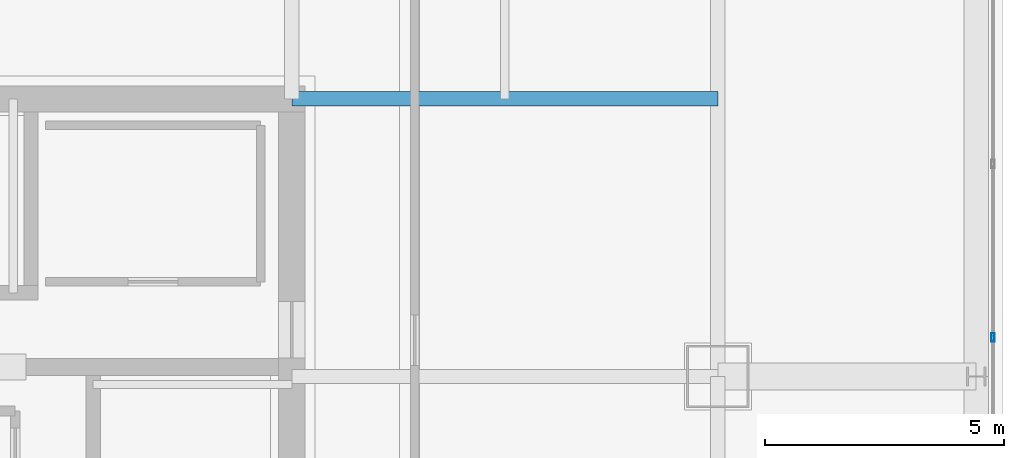
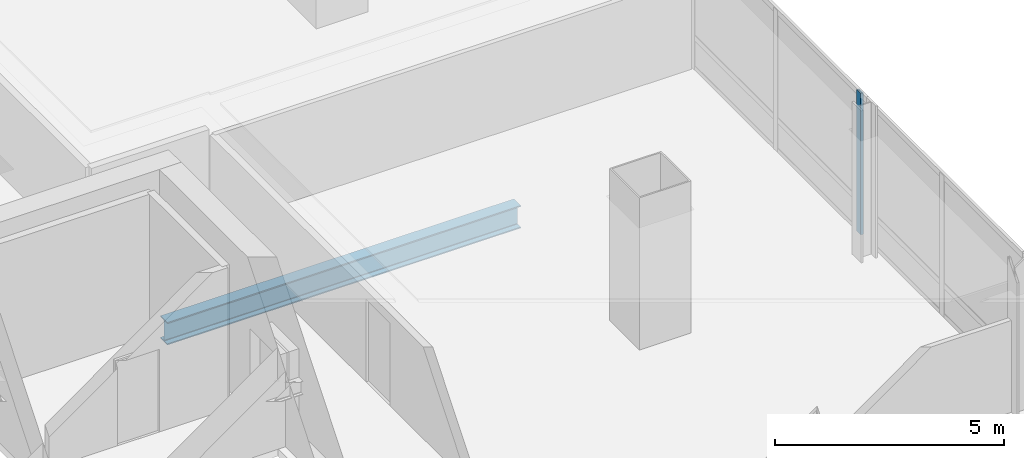
# One storey, part 20 of 51: 1 beam, 1 member, 1 element without a shape of its own.
"""IFC4 building model written with IfcOpenShell, lengths in metres."""

from ifc_helpers import new_model, si_unit, direction, frame, origin, origin_2d, place, context, subcontext, project, spatial, hollow_rectangle, i_section, extrude, material, material_profile, profile_set, type_object, element, aggregate, save


model = new_model("IFC4")

# Units and contexts
model_context = context("Model", 3, precision=1e-05, world=origin(), true_north=direction((0.0, 1.0)))
body_context = subcontext(model_context, "Body", "Model", "MODEL_VIEW")
ifc_project = project(units=[si_unit("LENGTHUNIT", "METRE"), si_unit("AREAUNIT", "SQUARE_METRE"), si_unit("VOLUMEUNIT", "CUBIC_METRE"), si_unit("PLANEANGLEUNIT", "RADIAN"), si_unit("MASSUNIT", "GRAM", prefix="KILO")], contexts=[model_context])

# Site, building, storey
site_placement = place(None, origin())
site = spatial("IfcSite", under=ifc_project, at=site_placement, CompositionType="ELEMENT")
building_placement = place(site_placement, origin())
building = spatial("IfcBuilding", under=site, at=building_placement, Name="Punatoya Terracotta Tower", CompositionType="ELEMENT")
storey_placement = place(building_placement, frame((0.0, 0.0, 279.75)))
storey = spatial("IfcBuildingStorey", under=building, at=storey_placement, Name="L66", CompositionType="ELEMENT", Elevation=279.75)

# Beam
ifc_material_1 = material(Name="Steel S355", Category="steel")
ifc_material_profile_1 = material_profile(ifc_material_1, i_section(OverallWidth=0.300048828125, OverallDepth=0.60009765625, WebThickness=0.015380859375, FlangeThickness=0.030029296875, FilletRadius=0.01806640625, at=origin_2d()))
ifc_profile_set_1 = profile_set([ifc_material_profile_1], Name="Steel S355")
beam_type = type_object("IfcBeamType", Name="BM-PRI-600", PredefinedType="BEAM", material=ifc_profile_set_1)
beam_placement = place(storey_placement, frame((10.199951171875, 9.199951171875, -0.5), z_axis=(1.0, 0.0, 0.0), x_axis=(0.0, 1.0, 0.0)))
element("IfcBeam", 1, at=beam_placement, inside=storey, type_object=beam_type, Name="BM-L66-PR-EN", PredefinedType="BEAM", context=body_context, shape_type="SweptSolid", body=[
    extrude(i_section(OverallWidth=0.300048828125, OverallDepth=0.60009765625, WebThickness=0.015380859375, FlangeThickness=0.030029296875, FilletRadius=0.01806640625, at=origin_2d()), origin(), (0.0, 0.0, 1.0), 8.900146484375),
])

# Curtain wall, member
ifc_material_2 = material(Name="Aluminium 6063-T6 + Double Low-E Glass", Category="aluminium")
curtain_wall_type = type_object("IfcCurtainWallType", Name="CW-M3", PredefinedType="NOTDEFINED", material=ifc_material_2)
curtain_wall_placement = place(storey_placement, origin())
curtain_wall = element("IfcCurtainWall", 2, at=curtain_wall_placement, inside=storey, type_object=curtain_wall_type, Name="L66 Curtain Wall CW-L66-E05-1", PredefinedType="NOTDEFINED")
ifc_material_3 = material(Name="Aluminium 6063-T6", Category="aluminium")
ifc_material_profile_2 = material_profile(ifc_material_3, hollow_rectangle(XDim=0.070068359375, YDim=0.179931640625, WallThickness=0.00390625, at=origin_2d()))
ifc_profile_set_2 = profile_set([ifc_material_profile_2], Name="Aluminium 6063-T6")
member_type = type_object("IfcMemberType", Name="CW-MUL-M3", PredefinedType="MULLION", material=ifc_profile_set_2)
member_placement = place(storey_placement, frame((24.85009765625, 4.21435546875, 0.0), z_axis=(0.0, 0.0, 1.0), x_axis=(1.0, 0.0, 0.0)))
member = element("IfcMember", 3, at=member_placement, type_object=member_type, Name="CW-L66-E05-1 Mullion 04", PredefinedType="MULLION", context=body_context, shape_type="SweptSolid", body=[
    extrude(hollow_rectangle(XDim=0.070068359375, YDim=0.179931640625, WallThickness=0.00390625, at=origin_2d()), origin(), (0.0, 0.0, 1.0), 3.77001953125),
])
aggregate(curtain_wall, [member])

save(model, "model.ifc")
